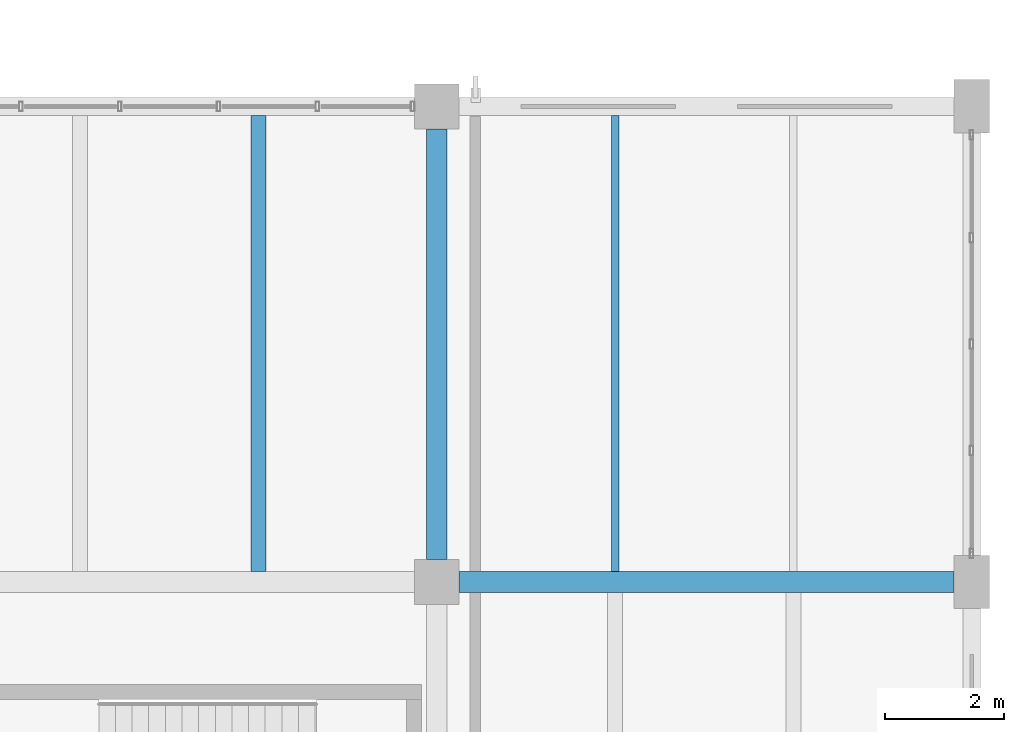
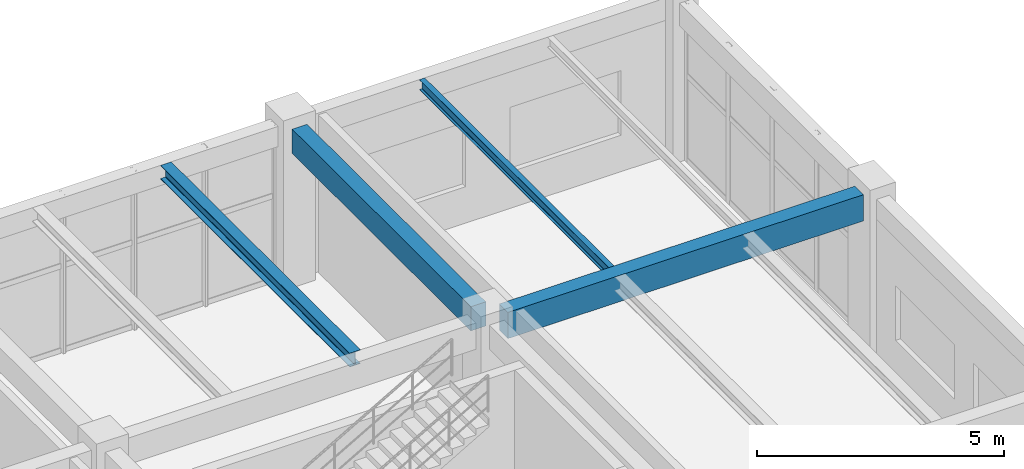
# One storey, part 97 of 128: 4 beams.
"""IFC4 building model written with IfcOpenShell, lengths in metres."""

from ifc_helpers import new_model, si_unit, derived_unit, direction, frame, origin, origin_2d, place, context, subcontext, project, spatial, rectangle, i_section, extrude, material, material_profile, profile_set, type_object, element, save


model = new_model("IFC4")

# Units and contexts
model_context = context("Model", 3, precision=1e-05, world=origin(), true_north=direction((0.0, 1.0)))
body_context = subcontext(model_context, "Body", "Model", "MODEL_VIEW")
ifc_project = project(units=[si_unit("LENGTHUNIT", "METRE"), si_unit("AREAUNIT", "SQUARE_METRE"), si_unit("VOLUMEUNIT", "CUBIC_METRE"), si_unit("PLANEANGLEUNIT", "RADIAN"), si_unit("MASSUNIT", "GRAM", prefix="KILO"), derived_unit("THERMALTRANSMITTANCEUNIT", [(si_unit("MASSUNIT", "GRAM", prefix="KILO"), 1), (si_unit("TIMEUNIT", "SECOND"), -3), (si_unit("THERMODYNAMICTEMPERATUREUNIT", "KELVIN"), -1)])], contexts=[model_context])

# Site, building, storey
site_placement = place(None, origin())
site = spatial("IfcSite", under=ifc_project, at=site_placement, CompositionType="ELEMENT")
building_placement = place(site_placement, origin())
building = spatial("IfcBuilding", under=site, at=building_placement, Name="Zhenchuan Archway Interchange", CompositionType="ELEMENT")
storey_placement = place(building_placement, frame((0.0, 0.0, 14.39990234375)))
storey = spatial("IfcBuildingStorey", under=building, at=storey_placement, Name="L03", CompositionType="ELEMENT", Elevation=14.39990234375)

# Beams
ifc_material_1 = material(Name="Concrete C40", Category="concrete")
ifc_material_profile_1 = material_profile(ifc_material_1, rectangle(XDim=0.35009765625, YDim=0.60009765625, at=origin_2d()), Name="RC 350x600")
ifc_profile_set_1 = profile_set([ifc_material_profile_1], Name="Concrete C40")
beam_type_1 = type_object("IfcBeamType", Name="BM_RC_350x600", PredefinedType="BEAM", material=ifc_profile_set_1)
beam_1_placement = place(storey_placement, frame((162.0, 96.375, 3.630126953125), z_axis=(0.0, 1.0, 0.0), x_axis=(-1.0, 0.0, 0.0)))
element("IfcBeam", 1, at=beam_1_placement, inside=storey, type_object=beam_type_1, Name="Beam 19:N-O (L03)", PredefinedType="BEAM", context=body_context, shape_type="SweptSolid", body=[
    extrude(rectangle(XDim=0.35009765625, YDim=0.60009765625, at=origin_2d()), origin(), (0.0, 0.0, 1.0), 7.25),
])
ifc_material_profile_2 = material_profile(ifc_material_1, rectangle(XDim=0.35009765625, YDim=0.64990234375, at=origin_2d()), Name="RC 350x650")
ifc_profile_set_2 = profile_set([ifc_material_profile_2], Name="Concrete C40")
beam_type_2 = type_object("IfcBeamType", Name="BM_RC_350x650", PredefinedType="BEAM", material=ifc_profile_set_2)
beam_2_placement = place(storey_placement, frame((162.375, 96.0, 3.60498046875), z_axis=(1.0, 0.0, 0.0), x_axis=(0.0, 1.0, 0.0)))
element("IfcBeam", 2, at=beam_2_placement, inside=storey, type_object=beam_type_2, Name="Beam N:19-20 (L03)", PredefinedType="BEAM", context=body_context, shape_type="SweptSolid", body=[
    extrude(rectangle(XDim=0.35009765625, YDim=0.64990234375, at=origin_2d()), origin(), (0.0, 0.0, 1.0), 8.324951171875),
])
ifc_material_2 = material(Name="Steel Q355", Category="steel")
ifc_material_profile_3 = material_profile(ifc_material_2, i_section(OverallWidth=0.25, OverallDepth=0.340087890625, WebThickness=0.009033203125, FlangeThickness=0.013916015625, FilletRadius=0.01806640625, at=origin_2d()), Name="HM 340x250")
ifc_profile_set_3 = profile_set([ifc_material_profile_3], Name="Steel Q355")
beam_type_3 = type_object("IfcBeamType", Name="JST_STL_HM340", PredefinedType="JOIST", material=ifc_profile_set_3)
beam_3_placement = place(storey_placement, frame((159.0, 96.175048828125, 3.760009765625), z_axis=(0.0, 1.0, 0.0), x_axis=(-1.0, 0.0, 0.0)))
element("IfcBeam", 3, at=beam_3_placement, inside=storey, type_object=beam_type_3, Name="Secondary joist 18-19/N-O #2 (L03)", PredefinedType="JOIST", context=body_context, shape_type="SweptSolid", body=[
    extrude(i_section(OverallWidth=0.25, OverallDepth=0.340087890625, WebThickness=0.009033203125, FlangeThickness=0.013916015625, FilletRadius=0.01806640625, at=origin_2d()), origin(), (0.0, 0.0, 1.0), 7.675048828125),
])
ifc_material_profile_4 = material_profile(ifc_material_2, i_section(OverallWidth=0.125, OverallDepth=0.25, WebThickness=0.006103515625, FlangeThickness=0.009033203125, FilletRadius=0.011962890625, at=origin_2d()), Name="HN 250x125")
ifc_profile_set_4 = profile_set([ifc_material_profile_4], Name="Steel Q355")
beam_type_4 = type_object("IfcBeamType", Name="JST_STL_HN250", PredefinedType="JOIST", material=ifc_profile_set_4)
beam_4_placement = place(storey_placement, frame((165.0, 96.175048828125, 3.80517578125), z_axis=(0.0, 1.0, 0.0), x_axis=(-1.0, 0.0, 0.0)))
element("IfcBeam", 4, at=beam_4_placement, inside=storey, type_object=beam_type_4, Name="Secondary joist 19-20/N-O #1 (L03)", PredefinedType="JOIST", context=body_context, shape_type="SweptSolid", body=[
    extrude(i_section(OverallWidth=0.125, OverallDepth=0.25, WebThickness=0.006103515625, FlangeThickness=0.009033203125, FilletRadius=0.011962890625, at=origin_2d()), origin(), (0.0, 0.0, 1.0), 7.675048828125),
])

save(model, "model.ifc")
